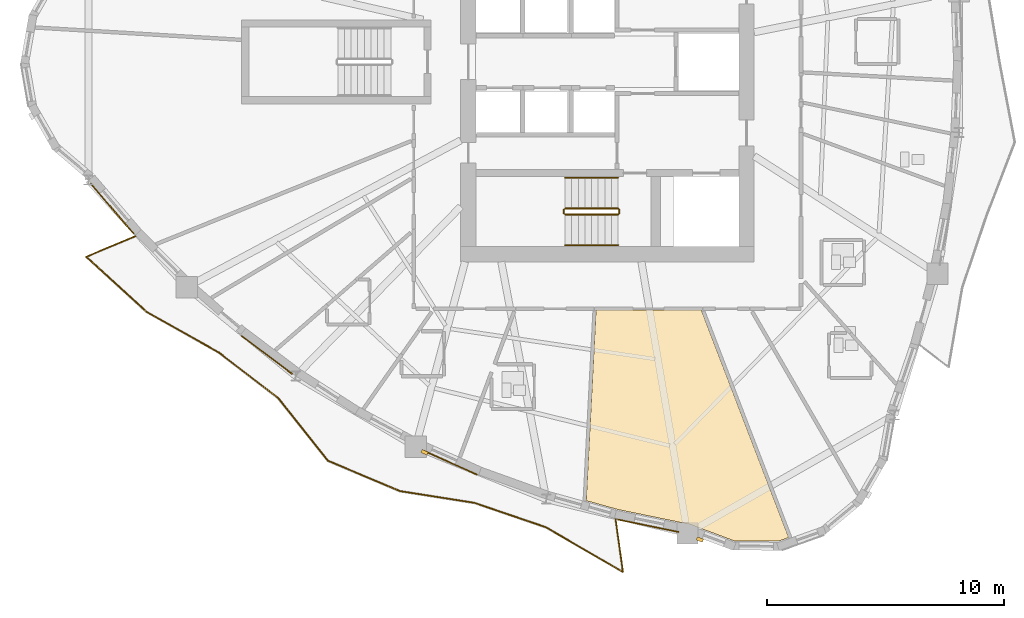
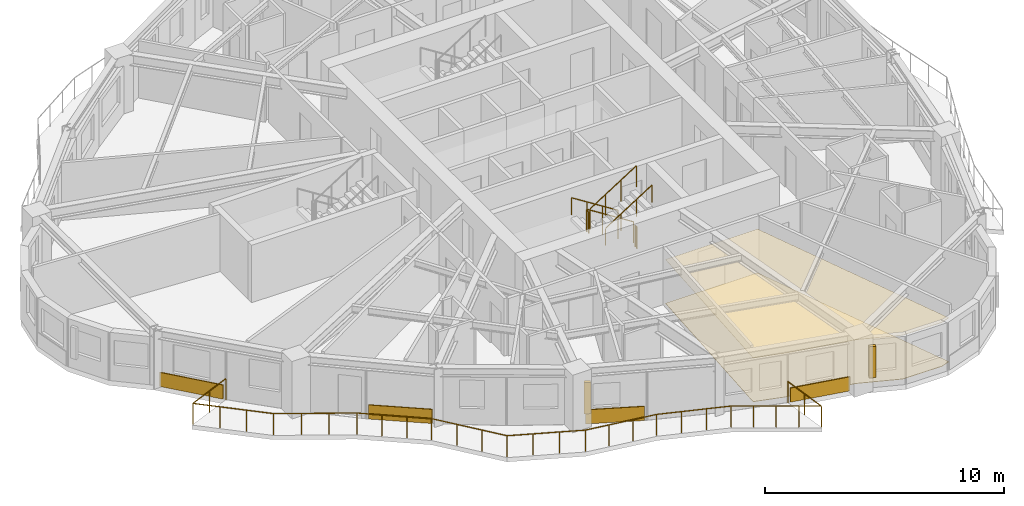
# One storey, part 10 of 13: 7 railings, 6 coverings, 2 shading devices.
"""IFC4 building model written with IfcOpenShell, lengths in metres."""

from ifc_helpers import new_model, si_unit, direction, frame, origin, origin_2d, place, context, subcontext, project, spatial, polyline, rectangle, circle, outline, extrude, source, transform, mapped, material, layer, layer_set, type_object, element, save


model = new_model("IFC4")

# Units and contexts
model_context = context("Model", 3, precision=1e-05, world=origin(), true_north=direction((0.0, 1.0)))
body_context = subcontext(model_context, "Body", "Model", "MODEL_VIEW")
ifc_project = project(units=[si_unit("LENGTHUNIT", "METRE"), si_unit("AREAUNIT", "SQUARE_METRE"), si_unit("VOLUMEUNIT", "CUBIC_METRE"), si_unit("PLANEANGLEUNIT", "RADIAN"), si_unit("MASSUNIT", "GRAM", prefix="KILO")], contexts=[model_context])

# Site, building, storey
site_placement = place(None, origin())
site = spatial("IfcSite", under=ifc_project, at=site_placement, CompositionType="ELEMENT")
building_placement = place(site_placement, origin())
building = spatial("IfcBuilding", under=site, at=building_placement, Name="Qafzar Sky-Pleat Residences", CompositionType="ELEMENT")
storey_placement = place(building_placement, frame((0.0, 0.0, 105.60009765625)))
storey = spatial("IfcBuildingStorey", under=building, at=storey_placement, Name="L31", CompositionType="ELEMENT", Elevation=105.60009765625)

# Coverings
ifc_material_1 = material(Name="Perforated acoustic gypsum board ceiling")
ifc_layer_1 = layer(ifc_material_1, 0.02001953125)
ifc_layer_set_1 = layer_set([ifc_layer_1], Name="Perforated acoustic gypsum board ceiling")
covering_type_1 = type_object("IfcCoveringType", Name="COV-CEIL-ACOUSTIC", PredefinedType="CEILING", material=ifc_layer_set_1)
covering_1_placement = place(storey_placement, frame((0.0, 0.0, 2.239990234375)))
element("IfcCovering", 1, at=covering_1_placement, inside=storey, type_object=covering_type_1, Name="L31 Co-Living Lounge Acoustic Ceiling", PredefinedType="CEILING", context=body_context, shape_type="SweptSolid", body=[
    extrude(outline(polyline([(37.58349609375, 5.749267578125), (35.69873046875, 5.76220703125), (33.840087890625, 6.456298828125), (30.7822265625, 7.086181640625), (29.45166015625, 7.45849609375), (29.867919921875, 15.510009765625), (34.315185546875, 15.510009765625), (38.006591796875, 5.900634765625), (37.58349609375, 5.749267578125)])), origin(), (0.0, 0.0, 1.0), 0.02001953125),
])
ifc_material_2 = material(Name="Honed porcelain and Riyadh stone tile flooring", Category="masonry")
ifc_layer_2 = layer(ifc_material_2, 0.02001953125)
ifc_layer_set_2 = layer_set([ifc_layer_2], Name="Honed porcelain and Riyadh stone tile flooring")
covering_type_2 = type_object("IfcCoveringType", Name="COV-FLR-PORCELAIN", PredefinedType="FLOORING", material=ifc_layer_set_2)
covering_2_placement = place(storey_placement, origin())
element("IfcCovering", 2, at=covering_2_placement, inside=storey, type_object=covering_type_2, Name="L31 Co-Living Lounge Honed Stone Flooring", PredefinedType="FLOORING", context=body_context, shape_type="SweptSolid", body=[
    extrude(outline(polyline([(37.58349609375, 5.749267578125), (35.69873046875, 5.76220703125), (33.840087890625, 6.456298828125), (30.7822265625, 7.086181640625), (29.45166015625, 7.45849609375), (29.867919921875, 15.510009765625), (34.315185546875, 15.510009765625), (38.006591796875, 5.900634765625), (37.58349609375, 5.749267578125)])), origin(), (0.0, 0.0, 1.0), 0.02001953125),
])

# Shading devices
ifc_material_3 = material(Name="Honed Riyadh limestone solar fin", Category="masonry")
ifc_layer_3 = layer(ifc_material_3, 0.139892578125)
ifc_layer_set_3 = layer_set([ifc_layer_3], Name="Honed Riyadh limestone solar fin")
shading_device_type = type_object("IfcShadingDeviceType", Name="SHD-FIN-STONE", PredefinedType="SHUTTER", material=ifc_layer_set_3)
shared_shape_1 = source(origin(), body_context, "Body", "SweptSolid", [
    extrude(rectangle(XDim=0.139892578125, YDim=0.280029296875, at=origin_2d()), origin(), (0.0, 0.0, 1.0), 1.60009765625),
])
for number, where, z_axis, x_axis, name in (
    (3, (22.621337890625, 9.502685546875, 0.599853515625), (0.0, 0.0, 1.0), (-0.407007311854, -0.913424900086, 0.0), "L31 Limestone Solar Fin 13"),
    (4, (34.257568359375, 5.814697265625, 0.599853515625), (0.0, 0.0, 1.0), (-0.349866381476, -0.936799613105, 0.0), "L31 Limestone Solar Fin 17"),
):
    element("IfcShadingDevice", number, at=place(storey_placement, frame(where, z_axis=z_axis, x_axis=x_axis)), inside=storey, type_object=shading_device_type, Name=name, PredefinedType="SHUTTER", context=body_context, shape_type="MappedRepresentation", body=[
        mapped(shared_shape_1, transform((0.0, 0.0, 0.0), x_axis=(1.0, 0.0, 0.0), y_axis=(0.0, 1.0, 0.0), z_axis=(0.0, 0.0, 1.0), scale=1.0)),
    ])

# Railing
ifc_material_4 = material(Name="Laminated glass and bronze steel balustrade", Category="steel")
railing_type_1 = type_object("IfcRailingType", Name="RAIL-BAL-1100", PredefinedType="BALUSTRADE", material=ifc_material_4)
shared_shape_2 = source(origin(), body_context, "Body", "SweptSolid", [
    extrude(circle(Radius=0.02392578125, at=origin_2d()), frame((0.0, 0.0, 1.076171875), z_axis=(-0.922372397599, -0.386301902853, 0.0), x_axis=(0.386301902853, -0.922372397599, 0.0)), (0.0, 0.0, 1.0), 2.270751953125),
    extrude(circle(Radius=0.02392578125, at=origin_2d()), frame((-2.094482421875, -0.877197265625, 1.076171875), z_axis=(0.737920092882, -0.67488809185, 0.0), x_axis=(0.67488809185, 0.737920092882, 0.0)), (0.0, 0.0, 1.0), 3.451171875),
    extrude(circle(Radius=0.02392578125, at=origin_2d()), frame((0.4521484375, -3.206298828125, 1.076171875), z_axis=(0.871838702574, -0.4897930958, 0.0), x_axis=(0.4897930958, 0.871838702574, 0.0)), (0.0, 0.0, 1.0), 3.49169921875),
    extrude(circle(Radius=0.02392578125, at=origin_2d()), frame((3.496337890625, -4.91650390625, 1.076171875), z_axis=(0.79366608484, -0.608353635458, 0.0), x_axis=(0.608353635458, 0.79366608484, 0.0)), (0.0, 0.0, 1.0), 3.157958984375),
    extrude(circle(Radius=0.02392578125, at=origin_2d()), frame((6.002685546875, -6.837646484375, 1.076171875), z_axis=(0.621723746758, -0.78323660711, 0.0), x_axis=(0.78323660711, 0.621723746758, 0.0)), (0.0, 0.0, 1.0), 3.39208984375),
    extrude(circle(Radius=0.02392578125, at=origin_2d()), frame((8.111572265625, -9.494384765625, 1.076171875), z_axis=(0.921530903709, -0.388305026376, 0.0), x_axis=(0.388305026376, 0.921530903709, 0.0)), (0.0, 0.0, 1.0), 3.30029296875),
    extrude(circle(Radius=0.02392578125, at=origin_2d()), frame((11.15283203125, -10.77587890625, 1.076171875), z_axis=(0.987713419374, -0.156276041632, 0.0), x_axis=(0.156276041632, 0.987713419374, 0.0)), (0.0, 0.0, 1.0), 3.199462890625),
    extrude(circle(Radius=0.02392578125, at=origin_2d()), frame((14.31298828125, -11.27587890625, 1.076171875), z_axis=(0.946044959925, -0.324035389735, 0.0), x_axis=(0.324035389735, 0.946044959925, 0.0)), (0.0, 0.0, 1.0), 3.17578125),
    extrude(circle(Radius=0.02392578125, at=origin_2d()), frame((17.3173828125, -12.304931640625, 1.076171875), z_axis=(0.865043001195, -0.501697723818, 0.0), x_axis=(0.501697723818, 0.865043001195, 0.0)), (0.0, 0.0, 1.0), 3.767578125),
    extrude(circle(Radius=0.02392578125, at=origin_2d()), frame((20.576416015625, -14.195068359375, 1.076171875), z_axis=(-0.138154338378, 0.990410712173, 0.0), x_axis=(-0.990410712173, -0.138154338378, 0.0)), (0.0, 0.0, 1.0), 2.270751953125),
    extrude(circle(Radius=0.02099609375, at=origin_2d()), origin(), (0.0, 0.0, 1.0), 1.052001953125),
    extrude(circle(Radius=0.02099609375, at=origin_2d()), frame((-1.04736328125, -0.4384765625, 0.0)), (0.0, 0.0, 1.0), 1.052001953125),
    extrude(circle(Radius=0.02099609375, at=origin_2d()), frame((-2.094482421875, -0.877197265625, 0.0)), (0.0, 0.0, 1.0), 1.052001953125),
    extrude(circle(Radius=0.02099609375, at=origin_2d()), frame((-1.24560546875, -1.653564453125, 0.0)), (0.0, 0.0, 1.0), 1.052001953125),
    extrude(circle(Radius=0.02099609375, at=origin_2d()), frame((-0.396728515625, -2.429931640625, 0.0)), (0.0, 0.0, 1.0), 1.052001953125),
    extrude(circle(Radius=0.02099609375, at=origin_2d()), frame((0.4521484375, -3.206298828125, 0.0)), (0.0, 0.0, 1.0), 1.052001953125),
    extrude(circle(Radius=0.02099609375, at=origin_2d()), frame((1.466796875, -3.7763671875, 0.0)), (0.0, 0.0, 1.0), 1.052001953125),
    extrude(circle(Radius=0.02099609375, at=origin_2d()), frame((2.481689453125, -4.346435546875, 0.0)), (0.0, 0.0, 1.0), 1.052001953125),
    extrude(circle(Radius=0.02099609375, at=origin_2d()), frame((3.496337890625, -4.91650390625, 0.0)), (0.0, 0.0, 1.0), 1.052001953125),
    extrude(circle(Radius=0.02099609375, at=origin_2d()), frame((4.331787109375, -5.556884765625, 0.0)), (0.0, 0.0, 1.0), 1.052001953125),
    extrude(circle(Radius=0.02099609375, at=origin_2d()), frame((5.167236328125, -6.197265625, 0.0)), (0.0, 0.0, 1.0), 1.052001953125),
    extrude(circle(Radius=0.02099609375, at=origin_2d()), frame((6.002685546875, -6.837646484375, 0.0)), (0.0, 0.0, 1.0), 1.052001953125),
    extrude(circle(Radius=0.02099609375, at=origin_2d()), frame((6.70556640625, -7.72314453125, 0.0)), (0.0, 0.0, 1.0), 1.052001953125),
    extrude(circle(Radius=0.02099609375, at=origin_2d()), frame((7.40869140625, -8.60888671875, 0.0)), (0.0, 0.0, 1.0), 1.052001953125),
    extrude(circle(Radius=0.02099609375, at=origin_2d()), frame((8.111572265625, -9.494384765625, 0.0)), (0.0, 0.0, 1.0), 1.052001953125),
    extrude(circle(Radius=0.02099609375, at=origin_2d()), frame((9.125244140625, -9.921630859375, 0.0)), (0.0, 0.0, 1.0), 1.052001953125),
    extrude(circle(Radius=0.02099609375, at=origin_2d()), frame((10.13916015625, -10.3486328125, 0.0)), (0.0, 0.0, 1.0), 1.052001953125),
    extrude(circle(Radius=0.02099609375, at=origin_2d()), frame((11.15283203125, -10.77587890625, 0.0)), (0.0, 0.0, 1.0), 1.052001953125),
    extrude(circle(Radius=0.02099609375, at=origin_2d()), frame((12.206298828125, -10.942626953125, 0.0)), (0.0, 0.0, 1.0), 1.052001953125),
    extrude(circle(Radius=0.02099609375, at=origin_2d()), frame((13.259521484375, -11.109130859375, 0.0)), (0.0, 0.0, 1.0), 1.052001953125),
    extrude(circle(Radius=0.02099609375, at=origin_2d()), frame((14.31298828125, -11.27587890625, 0.0)), (0.0, 0.0, 1.0), 1.052001953125),
    extrude(circle(Radius=0.02099609375, at=origin_2d()), frame((15.314453125, -11.618896484375, 0.0)), (0.0, 0.0, 1.0), 1.052001953125),
    extrude(circle(Radius=0.02099609375, at=origin_2d()), frame((16.31591796875, -11.9619140625, 0.0)), (0.0, 0.0, 1.0), 1.052001953125),
    extrude(circle(Radius=0.02099609375, at=origin_2d()), frame((17.3173828125, -12.304931640625, 0.0)), (0.0, 0.0, 1.0), 1.052001953125),
    extrude(circle(Radius=0.02099609375, at=origin_2d()), frame((18.132080078125, -12.77734375, 0.0)), (0.0, 0.0, 1.0), 1.052001953125),
    extrude(circle(Radius=0.02099609375, at=origin_2d()), frame((18.94677734375, -13.25, 0.0)), (0.0, 0.0, 1.0), 1.052001953125),
    extrude(circle(Radius=0.02099609375, at=origin_2d()), frame((19.76171875, -13.72265625, 0.0)), (0.0, 0.0, 1.0), 1.052001953125),
    extrude(circle(Radius=0.02099609375, at=origin_2d()), frame((20.576416015625, -14.195068359375, 0.0)), (0.0, 0.0, 1.0), 1.052001953125),
    extrude(circle(Radius=0.02099609375, at=origin_2d()), frame((20.41943359375, -13.070556640625, 0.0)), (0.0, 0.0, 1.0), 1.052001953125),
    extrude(circle(Radius=0.02099609375, at=origin_2d()), frame((20.2626953125, -11.946044921875, 0.0)), (0.0, 0.0, 1.0), 1.052001953125),
])
railing_1_placement = place(storey_placement, frame((10.42919921875, 18.64111328125, 0.0)))
element("IfcRailing", 5, at=railing_1_placement, inside=storey, type_object=railing_type_1, Name="L31 Pleated Balcony 3 Balustrade", PredefinedType="BALUSTRADE", context=body_context, shape_type="MappedRepresentation", body=[
    mapped(shared_shape_2, transform((0.0, 0.0, 0.0), x_axis=(1.0, 0.0, 0.0), y_axis=(0.0, 1.0, 0.0), z_axis=(0.0, 0.0, 1.0), scale=1.0)),
])

# Coverings
ifc_material_5 = material(Name="Honed Riyadh Tuwaiq limestone cladding", Category="masonry")
ifc_layer_4 = layer(ifc_material_5, 0.044921875)
ifc_layer_set_4 = layer_set([ifc_layer_4], Name="Honed Riyadh Tuwaiq limestone cladding")
covering_type_3 = type_object("IfcCoveringType", Name="COV-CLAD-STONE", PredefinedType="CLADDING", material=ifc_layer_set_4)
shared_shape_3 = source(origin(), body_context, "Body", "SweptSolid", [
    extrude(rectangle(XDim=2.811279296875, YDim=0.044921875, at=origin_2d()), origin(), (0.0, 0.0, 1.0), 0.719970703125),
])
covering_3_placement = place(storey_placement, frame((9.43212890625, 19.788330078125, 0.02001953125), z_axis=(0.0, 0.0, 1.0), x_axis=(0.650754460278, -0.759288240675, 0.0)))
element("IfcCovering", 6, at=covering_3_placement, inside=storey, type_object=covering_type_3, Name="L31 Riyadh Limestone Spandrel Cladding 7", PredefinedType="CLADDING", context=body_context, shape_type="MappedRepresentation", body=[
    mapped(shared_shape_3, transform((0.0, 0.0, 0.0), x_axis=(1.0, 0.0, 0.0), y_axis=(0.0, 1.0, 0.0), z_axis=(0.0, 0.0, 1.0), scale=1.0)),
])
shared_shape_4 = source(origin(), body_context, "Body", "SweptSolid", [
    extrude(rectangle(XDim=2.677978515625, YDim=0.044921875, at=origin_2d()), origin(), (0.0, 0.0, 1.0), 0.719970703125),
])
covering_4_placement = place(storey_placement, frame((15.966552734375, 13.6162109375, 0.02001953125), z_axis=(0.0, 0.0, 1.0), x_axis=(0.798383940109, -0.602148722639, 0.0)))
element("IfcCovering", 7, at=covering_4_placement, inside=storey, type_object=covering_type_3, Name="L31 Riyadh Limestone Spandrel Cladding 10", PredefinedType="CLADDING", context=body_context, shape_type="MappedRepresentation", body=[
    mapped(shared_shape_4, transform((0.0, 0.0, 0.0), x_axis=(1.0, 0.0, 0.0), y_axis=(0.0, 1.0, 0.0), z_axis=(0.0, 0.0, 1.0), scale=1.0)),
])
shared_shape_5 = source(origin(), body_context, "Body", "SweptSolid", [
    extrude(rectangle(XDim=2.489013671875, YDim=0.044921875, at=origin_2d()), origin(), (0.0, 0.0, 1.0), 0.719970703125),
])
covering_5_placement = place(storey_placement, frame((23.710205078125, 9.064697265625, 0.02001953125), z_axis=(0.0, 0.0, 1.0), x_axis=(0.913417453133, -0.407024024245, 0.0)))
element("IfcCovering", 8, at=covering_5_placement, inside=storey, type_object=covering_type_3, Name="L31 Riyadh Limestone Spandrel Cladding 13", PredefinedType="CLADDING", context=body_context, shape_type="MappedRepresentation", body=[
    mapped(shared_shape_5, transform((0.0, 0.0, 0.0), x_axis=(1.0, 0.0, 0.0), y_axis=(0.0, 1.0, 0.0), z_axis=(0.0, 0.0, 1.0), scale=1.0)),
])
shared_shape_6 = source(origin(), body_context, "Body", "SweptSolid", [
    extrude(rectangle(XDim=2.6220703125, YDim=0.044921875, at=origin_2d()), origin(), (0.0, 0.0, 1.0), 0.719970703125),
])
covering_6_placement = place(storey_placement, frame((32.0751953125, 6.399169921875, 0.02001953125), z_axis=(0.0, 0.0, 1.0), x_axis=(0.979428919574, -0.201789473218, 0.0)))
element("IfcCovering", 9, at=covering_6_placement, inside=storey, type_object=covering_type_3, Name="L31 Riyadh Limestone Spandrel Cladding 16", PredefinedType="CLADDING", context=body_context, shape_type="MappedRepresentation", body=[
    mapped(shared_shape_6, transform((0.0, 0.0, 0.0), x_axis=(1.0, 0.0, 0.0), y_axis=(0.0, 1.0, 0.0), z_axis=(0.0, 0.0, 1.0), scale=1.0)),
])

# Railings
ifc_material_6 = material(Name="Painted Steel S355 stair guardrail", Category="steel")
railing_type_2 = type_object("IfcRailingType", Name="RAIL-STAIR-GUARD", PredefinedType="GUARDRAIL", material=ifc_material_6)
shared_shape_7 = source(origin(), body_context, "Body", "SweptSolid", [
    extrude(circle(Radius=0.02392578125, at=origin_2d()), frame((0.0, 0.0, 1.076171875), z_axis=(0.0, -1.0, 0.0), x_axis=(1.0, 0.0, 0.0)), (0.0, 0.0, 1.0), 0.14990234375),
    extrude(circle(Radius=0.02099609375, at=origin_2d()), origin(), (0.0, 0.0, 1.0), 1.052001953125),
    extrude(circle(Radius=0.02099609375, at=origin_2d()), frame((0.0, -0.14990234375, 0.0)), (0.0, 0.0, 1.0), 1.052001953125),
])
for number, where, name in (
    (10, (28.510009765625, 19.75, 1.599853515625), "L31 ST1 stair guard 2"),
    (11, (30.85009765625, 19.75, 0.0), "L31 ST1 stair guard 4"),
):
    element("IfcRailing", number, at=place(storey_placement, frame(where)), inside=storey, type_object=railing_type_2, Name=name, PredefinedType="GUARDRAIL", context=body_context, shape_type="MappedRepresentation", body=[
        mapped(shared_shape_7, transform((0.0, 0.0, 0.0), x_axis=(1.0, 0.0, 0.0), y_axis=(0.0, 1.0, 0.0), z_axis=(0.0, 0.0, 1.0), scale=1.0)),
    ])
shared_shape_8 = source(origin(), body_context, "Body", "SweptSolid", [
    extrude(circle(Radius=0.02392578125, at=origin_2d()), frame((0.0, 0.0, 1.076171875), z_axis=(-0.8442293374, 0.0, 0.53598211339), x_axis=(0.0, -1.0, 0.0)), (0.0, 0.0, 1.0), 2.6533203125),
    extrude(circle(Radius=0.02099609375, at=origin_2d()), origin(), (0.0, 0.0, 1.0), 1.052001953125),
    extrude(circle(Radius=0.02099609375, at=origin_2d()), frame((-0.74658203125, 0.0, 0.47412109375)), (0.0, 0.0, 1.0), 1.052001953125),
    extrude(circle(Radius=0.02099609375, at=origin_2d()), frame((-1.493408203125, 0.0, 0.947998046875)), (0.0, 0.0, 1.0), 1.052001953125),
    extrude(circle(Radius=0.02099609375, at=origin_2d()), frame((-2.239990234375, 0.0, 1.422119140625)), (0.0, 0.0, 1.0), 1.052001953125),
])
railing_2_placement = place(storey_placement, frame((30.800048828125, 19.800048828125, 0.177734375)))
element("IfcRailing", 12, at=railing_2_placement, inside=storey, type_object=railing_type_2, Name="L31 ST1 stair guard 1", PredefinedType="GUARDRAIL", context=body_context, shape_type="MappedRepresentation", body=[
    mapped(shared_shape_8, transform((0.0, 0.0, 0.0), x_axis=(1.0, 0.0, 0.0), y_axis=(0.0, 1.0, 0.0), z_axis=(0.0, 0.0, 1.0), scale=1.0)),
])
ifc_material_7 = material(Name="Brushed stainless steel handrail", Category="steel")
railing_type_3 = type_object("IfcRailingType", Name="RAIL-STAIR-HAND", PredefinedType="HANDRAIL", material=ifc_material_7)
shared_shape_9 = source(origin(), body_context, "Body", "SweptSolid", [
    extrude(circle(Radius=0.02392578125, at=origin_2d()), frame((0.0, 0.0, 0.8759765625), z_axis=(-0.8442293374, 0.0, 0.53598211339), x_axis=(0.0, -1.0, 0.0)), (0.0, 0.0, 1.0), 2.6533203125),
    extrude(circle(Radius=0.02099609375, at=origin_2d()), origin(), (0.0, 0.0, 1.0), 0.851806640625),
    extrude(circle(Radius=0.02099609375, at=origin_2d()), frame((-0.74658203125, 0.0, 0.47412109375)), (0.0, 0.0, 1.0), 0.851806640625),
    extrude(circle(Radius=0.02099609375, at=origin_2d()), frame((-1.493408203125, 0.0, 0.947998046875)), (0.0, 0.0, 1.0), 0.851806640625),
    extrude(circle(Radius=0.02099609375, at=origin_2d()), frame((-2.239990234375, 0.0, 1.422119140625)), (0.0, 0.0, 1.0), 0.851806640625),
])
railing_3_placement = place(storey_placement, frame((30.800048828125, 21.10009765625, 0.177734375)))
element("IfcRailing", 13, at=railing_3_placement, inside=storey, type_object=railing_type_3, Name="L31 ST1 stair handrail 1", PredefinedType="HANDRAIL", context=body_context, shape_type="MappedRepresentation", body=[
    mapped(shared_shape_9, transform((0.0, 0.0, 0.0), x_axis=(1.0, 0.0, 0.0), y_axis=(0.0, 1.0, 0.0), z_axis=(0.0, 0.0, 1.0), scale=1.0)),
])
shared_shape_10 = source(origin(), body_context, "Body", "SweptSolid", [
    extrude(circle(Radius=0.02392578125, at=origin_2d()), frame((0.0, 0.0, 1.076171875), z_axis=(0.84418770128, 0.0, 0.536047689118), x_axis=(0.0, 1.0, 0.0)), (0.0, 0.0, 1.0), 2.6533203125),
    extrude(circle(Radius=0.02099609375, at=origin_2d()), origin(), (0.0, 0.0, 1.0), 1.052001953125),
    extrude(circle(Radius=0.02099609375, at=origin_2d()), frame((0.74658203125, 0.0, 0.47412109375)), (0.0, 0.0, 1.0), 1.052001953125),
    extrude(circle(Radius=0.02099609375, at=origin_2d()), frame((1.493408203125, 0.0, 0.9482421875)), (0.0, 0.0, 1.0), 1.052001953125),
    extrude(circle(Radius=0.02099609375, at=origin_2d()), frame((2.239990234375, 0.0, 1.42236328125)), (0.0, 0.0, 1.0), 1.052001953125),
])
railing_4_placement = place(storey_placement, frame((28.56005859375, 19.550048828125, 1.777587890625)))
element("IfcRailing", 14, at=railing_4_placement, inside=storey, type_object=railing_type_2, Name="L31 ST1 stair guard 3", PredefinedType="GUARDRAIL", context=body_context, shape_type="MappedRepresentation", body=[
    mapped(shared_shape_10, transform((0.0, 0.0, 0.0), x_axis=(1.0, 0.0, 0.0), y_axis=(0.0, 1.0, 0.0), z_axis=(0.0, 0.0, 1.0), scale=1.0)),
])
shared_shape_11 = source(origin(), body_context, "Body", "SweptSolid", [
    extrude(circle(Radius=0.02392578125, at=origin_2d()), frame((0.0, 0.0, 0.8759765625), z_axis=(0.84418770128, 0.0, 0.536047689118), x_axis=(0.0, 1.0, 0.0)), (0.0, 0.0, 1.0), 2.6533203125),
    extrude(circle(Radius=0.02099609375, at=origin_2d()), origin(), (0.0, 0.0, 1.0), 0.851806640625),
    extrude(circle(Radius=0.02099609375, at=origin_2d()), frame((0.74658203125, 0.0, 0.47412109375)), (0.0, 0.0, 1.0), 0.851806640625),
    extrude(circle(Radius=0.02099609375, at=origin_2d()), frame((1.493408203125, 0.0, 0.9482421875)), (0.0, 0.0, 1.0), 0.851806640625),
    extrude(circle(Radius=0.02099609375, at=origin_2d()), frame((2.239990234375, 0.0, 1.42236328125)), (0.0, 0.0, 1.0), 0.851806640625),
])
railing_5_placement = place(storey_placement, frame((28.56005859375, 18.25, 1.777587890625)))
element("IfcRailing", 15, at=railing_5_placement, inside=storey, type_object=railing_type_3, Name="L31 ST1 stair handrail 2", PredefinedType="HANDRAIL", context=body_context, shape_type="MappedRepresentation", body=[
    mapped(shared_shape_11, transform((0.0, 0.0, 0.0), x_axis=(1.0, 0.0, 0.0), y_axis=(0.0, 1.0, 0.0), z_axis=(0.0, 0.0, 1.0), scale=1.0)),
])

save(model, "model.ifc")
